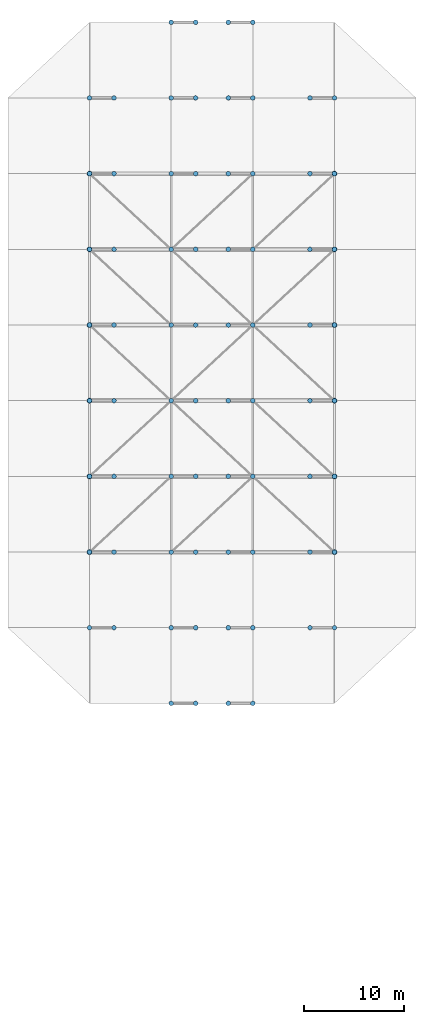
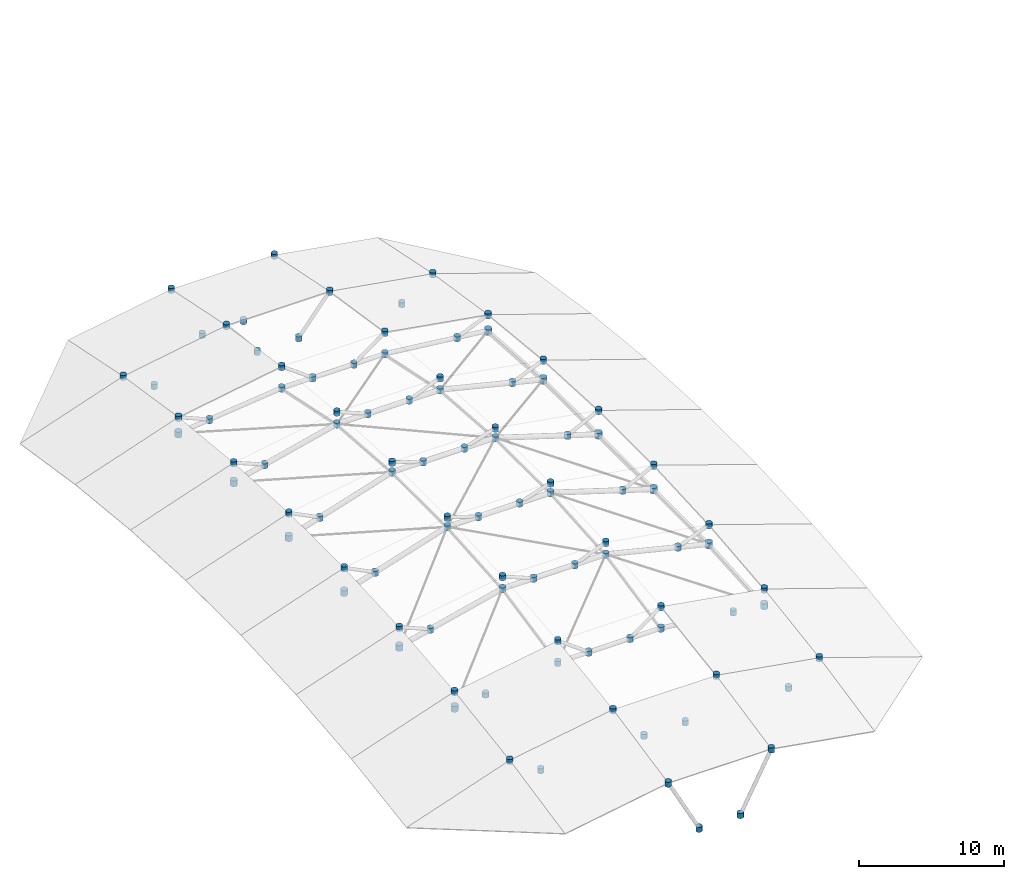
# One storey, part 10 of 22: 96 plates.
"""IFC4 building model written with IfcOpenShell, lengths in metres."""

from ifc_helpers import new_model, si_unit, direction, frame, origin, origin_2d, place, context, subcontext, project, spatial, circle, extrude, material, layer, layer_set, type_object, element, save


model = new_model("IFC4")

# Units and contexts
model_context = context("Model", 3, precision=1e-05, world=origin(), true_north=direction((0.0, 1.0)))
body_context = subcontext(model_context, "Body", "Model", "MODEL_VIEW")
ifc_project = project(units=[si_unit("LENGTHUNIT", "METRE"), si_unit("AREAUNIT", "SQUARE_METRE"), si_unit("VOLUMEUNIT", "CUBIC_METRE"), si_unit("PLANEANGLEUNIT", "RADIAN"), si_unit("MASSUNIT", "GRAM", prefix="KILO")], contexts=[model_context])

# Site, building, storey
site_placement = place(None, origin())
site = spatial("IfcSite", under=ifc_project, at=site_placement, CompositionType="ELEMENT")
building_placement = place(site_placement, origin())
building = spatial("IfcBuilding", under=site, at=building_placement, Name="Qandaris Square Conservatory and Botanical Centre", CompositionType="ELEMENT")
storey_placement = place(building_placement, frame((0.0, 0.0, 19.800048828125)))
storey = spatial("IfcBuildingStorey", under=building, at=storey_placement, Name="L04", CompositionType="ELEMENT", Elevation=19.800048828125)

# Plates
ifc_material = material(Name="Steel S355", Category="steel")
ifc_layer_1 = layer(ifc_material, 0.419921875)
ifc_layer_set_1 = layer_set([ifc_layer_1], Name="Steel S355")
plate_type_1 = type_object("IfcPlateType", Name="Gridshell Crown Connector Drum KN3", PredefinedType="USERDEFINED", material=ifc_layer_set_1)
for number, where, z_axis, x_axis, name in (
    (1, (32.60009765625, 62.199951171875, 0.7353515625), (0.0, 0.0, 1.0), (1.0, 0.0, 0.0), "Gridshell Node Drum KN-2-2"),
    (2, (32.60009765625, 69.800048828125, 2.32568359375), (0.0, 0.0, 1.0), (1.0, 0.0, 0.0), "Gridshell Node Drum KN-2-3"),
    (3, (32.60009765625, 77.39990234375, 2.89794921875), (0.0, 0.0, 1.0), (1.0, 0.0, 0.0), "Gridshell Node Drum KN-2-4"),
    (4, (32.60009765625, 85.0, 2.89794921875), (0.0, 0.0, 1.0), (1.0, 0.0, 0.0), "Gridshell Node Drum KN-2-5"),
    (5, (32.60009765625, 92.60009765625, 2.32568359375), (0.0, 0.0, 1.0), (1.0, 0.0, 0.0), "Gridshell Node Drum KN-2-6"),
    (6, (32.60009765625, 100.199951171875, 0.7353515625), (0.0, 0.0, 1.0), (1.0, 0.0, 0.0), "Gridshell Node Drum KN-2-7"),
    (7, (40.800048828125, 62.199951171875, 0.7353515625), (0.0, 0.0, 1.0), (1.0, 0.0, 0.0), "Gridshell Node Drum KN-3-2"),
    (8, (40.800048828125, 69.800048828125, 2.32568359375), (0.0, 0.0, 1.0), (1.0, 0.0, 0.0), "Gridshell Node Drum KN-3-3"),
    (9, (40.800048828125, 77.39990234375, 2.89794921875), (0.0, 0.0, 1.0), (1.0, 0.0, 0.0), "Gridshell Node Drum KN-3-4"),
    (10, (40.800048828125, 85.0, 2.89794921875), (0.0, 0.0, 1.0), (1.0, 0.0, 0.0), "Gridshell Node Drum KN-3-5"),
    (11, (40.800048828125, 92.60009765625, 2.32568359375), (0.0, 0.0, 1.0), (1.0, 0.0, 0.0), "Gridshell Node Drum KN-3-6"),
    (12, (40.800048828125, 100.199951171875, 0.7353515625), (0.0, 0.0, 1.0), (1.0, 0.0, 0.0), "Gridshell Node Drum KN-3-7"),
    (13, (24.39990234375, 54.60009765625, -0.015625), (0.0, 0.0, 1.0), (1.0, 0.0, 0.0), "Dome Glazing Node 1.1"),
    (14, (26.860107421875, 54.60009765625, -1.64990234375), (0.0, 0.0, 1.0), (1.0, 0.0, 0.0), "Dome Strut Seat 1.1"),
    (15, (24.39990234375, 62.199951171875, 1.15478515625), (0.0, 0.0, 1.0), (1.0, 0.0, 0.0), "Dome Glazing Node 1.2"),
    (16, (26.860107421875, 62.199951171875, 0.093994140625), (0.0, 0.0, 1.0), (1.0, 0.0, 0.0), "Dome Strut Seat 1.2"),
    (17, (24.39990234375, 69.800048828125, 1.93505859375), (0.0, 0.0, 1.0), (1.0, 0.0, 0.0), "Dome Glazing Node 1.3"),
    (18, (26.860107421875, 69.800048828125, 0.923095703125), (0.0, 0.0, 1.0), (1.0, 0.0, 0.0), "Dome Strut Seat 1.3"),
    (19, (24.39990234375, 77.39990234375, 2.3251953125), (0.0, 0.0, 1.0), (1.0, 0.0, 0.0), "Dome Glazing Node 1.4"),
    (20, (26.860107421875, 77.39990234375, 1.0947265625), (0.0, 0.0, 1.0), (1.0, 0.0, 0.0), "Dome Strut Seat 1.4"),
    (21, (24.39990234375, 85.0, 2.3251953125), (0.0, 0.0, 1.0), (1.0, 0.0, 0.0), "Dome Glazing Node 1.5"),
    (22, (26.860107421875, 85.0, 1.0947265625), (0.0, 0.0, 1.0), (1.0, 0.0, 0.0), "Dome Strut Seat 1.5"),
    (23, (24.39990234375, 92.60009765625, 1.93505859375), (0.0, 0.0, 1.0), (1.0, 0.0, 0.0), "Dome Glazing Node 1.6"),
    (24, (26.860107421875, 92.60009765625, 0.923095703125), (0.0, 0.0, 1.0), (1.0, 0.0, 0.0), "Dome Strut Seat 1.6"),
    (25, (24.39990234375, 100.199951171875, 1.15478515625), (0.0, 0.0, 1.0), (1.0, 0.0, 0.0), "Dome Glazing Node 1.7"),
    (26, (26.860107421875, 100.199951171875, 0.093994140625), (0.0, 0.0, 1.0), (1.0, 0.0, 0.0), "Dome Strut Seat 1.7"),
    (27, (24.39990234375, 107.800048828125, -0.015625), (0.0, 0.0, 1.0), (1.0, 0.0, 0.0), "Dome Glazing Node 1.8"),
    (28, (26.860107421875, 107.800048828125, -1.64990234375), (0.0, 0.0, 1.0), (1.0, 0.0, 0.0), "Dome Strut Seat 1.8"),
    (29, (32.60009765625, 47.0, -0.18408203125), (0.0, 0.0, 1.0), (1.0, 0.0, 0.0), "Dome Glazing Node 2.0"),
    (30, (35.06005859375, 47.0, -4.830078125), (0.0, 0.0, 1.0), (1.0, 0.0, 0.0), "Dome Strut Seat 2.0"),
    (31, (32.60009765625, 54.60009765625, 1.37646484375), (0.0, 0.0, 1.0), (1.0, 0.0, 0.0), "Dome Glazing Node 2.1"),
    (32, (35.06005859375, 54.60009765625, -1.64990234375), (0.0, 0.0, 1.0), (1.0, 0.0, 0.0), "Dome Strut Seat 2.1"),
    (33, (32.60009765625, 62.199951171875, 2.546875), (0.0, 0.0, 1.0), (1.0, 0.0, 0.0), "Dome Glazing Node 2.2"),
    (34, (35.06005859375, 62.199951171875, 0.7353515625), (0.0, 0.0, 1.0), (1.0, 0.0, 0.0), "Dome Strut Seat 2.2"),
    (35, (32.60009765625, 69.800048828125, 3.3271484375), (0.0, 0.0, 1.0), (1.0, 0.0, 0.0), "Dome Glazing Node 2.3"),
    (36, (35.06005859375, 69.800048828125, 2.32568359375), (0.0, 0.0, 1.0), (1.0, 0.0, 0.0), "Dome Strut Seat 2.3"),
    (37, (32.60009765625, 77.39990234375, 3.71728515625), (0.0, 0.0, 1.0), (1.0, 0.0, 0.0), "Dome Glazing Node 2.4"),
    (38, (35.06005859375, 77.39990234375, 2.89794921875), (0.0, 0.0, 1.0), (1.0, 0.0, 0.0), "Dome Strut Seat 2.4"),
    (39, (32.60009765625, 85.0, 3.71728515625), (0.0, 0.0, 1.0), (1.0, 0.0, 0.0), "Dome Glazing Node 2.5"),
    (40, (35.06005859375, 85.0, 2.89794921875), (0.0, 0.0, 1.0), (1.0, 0.0, 0.0), "Dome Strut Seat 2.5"),
    (41, (32.60009765625, 92.60009765625, 3.3271484375), (0.0, 0.0, 1.0), (1.0, 0.0, 0.0), "Dome Glazing Node 2.6"),
    (42, (35.06005859375, 92.60009765625, 2.32568359375), (0.0, 0.0, 1.0), (1.0, 0.0, 0.0), "Dome Strut Seat 2.6"),
    (43, (32.60009765625, 100.199951171875, 2.546875), (0.0, 0.0, 1.0), (1.0, 0.0, 0.0), "Dome Glazing Node 2.7"),
    (44, (35.06005859375, 100.199951171875, 0.7353515625), (0.0, 0.0, 1.0), (1.0, 0.0, 0.0), "Dome Strut Seat 2.7"),
    (45, (32.60009765625, 107.800048828125, 1.37646484375), (0.0, 0.0, 1.0), (1.0, 0.0, 0.0), "Dome Glazing Node 2.8"),
    (46, (35.06005859375, 107.800048828125, -1.64990234375), (0.0, 0.0, 1.0), (1.0, 0.0, 0.0), "Dome Strut Seat 2.8"),
    (47, (32.60009765625, 115.39990234375, -0.18408203125), (0.0, 0.0, 1.0), (1.0, 0.0, 0.0), "Dome Glazing Node 2.9"),
    (48, (35.06005859375, 115.39990234375, -4.830078125), (0.0, 0.0, 1.0), (1.0, 0.0, 0.0), "Dome Strut Seat 2.9"),
    (49, (40.800048828125, 47.0, -0.18408203125), (0.0, 0.0, 1.0), (1.0, 0.0, 0.0), "Dome Glazing Node 3.0"),
    (50, (38.340087890625, 47.0, -4.830078125), (0.0, 0.0, 1.0), (1.0, 0.0, 0.0), "Dome Strut Seat 3.0"),
    (51, (40.800048828125, 54.60009765625, 1.37646484375), (0.0, 0.0, 1.0), (1.0, 0.0, 0.0), "Dome Glazing Node 3.1"),
    (52, (38.340087890625, 54.60009765625, -1.64990234375), (0.0, 0.0, 1.0), (1.0, 0.0, 0.0), "Dome Strut Seat 3.1"),
    (53, (40.800048828125, 62.199951171875, 2.546875), (0.0, 0.0, 1.0), (1.0, 0.0, 0.0), "Dome Glazing Node 3.2"),
    (54, (38.340087890625, 62.199951171875, 0.7353515625), (0.0, 0.0, 1.0), (1.0, 0.0, 0.0), "Dome Strut Seat 3.2"),
    (55, (40.800048828125, 69.800048828125, 3.3271484375), (0.0, 0.0, 1.0), (1.0, 0.0, 0.0), "Dome Glazing Node 3.3"),
    (56, (38.340087890625, 69.800048828125, 2.32568359375), (0.0, 0.0, 1.0), (1.0, 0.0, 0.0), "Dome Strut Seat 3.3"),
    (57, (40.800048828125, 77.39990234375, 3.71728515625), (0.0, 0.0, 1.0), (1.0, 0.0, 0.0), "Dome Glazing Node 3.4"),
    (58, (38.340087890625, 77.39990234375, 2.89794921875), (0.0, 0.0, 1.0), (1.0, 0.0, 0.0), "Dome Strut Seat 3.4"),
    (59, (40.800048828125, 85.0, 3.71728515625), (0.0, 0.0, 1.0), (1.0, 0.0, 0.0), "Dome Glazing Node 3.5"),
    (60, (38.340087890625, 85.0, 2.89794921875), (0.0, 0.0, 1.0), (1.0, 0.0, 0.0), "Dome Strut Seat 3.5"),
    (61, (40.800048828125, 92.60009765625, 3.3271484375), (0.0, 0.0, 1.0), (1.0, 0.0, 0.0), "Dome Glazing Node 3.6"),
    (62, (38.340087890625, 92.60009765625, 2.32568359375), (0.0, 0.0, 1.0), (1.0, 0.0, 0.0), "Dome Strut Seat 3.6"),
    (63, (40.800048828125, 100.199951171875, 2.546875), (0.0, 0.0, 1.0), (1.0, 0.0, 0.0), "Dome Glazing Node 3.7"),
    (64, (38.340087890625, 100.199951171875, 0.7353515625), (0.0, 0.0, 1.0), (1.0, 0.0, 0.0), "Dome Strut Seat 3.7"),
    (65, (40.800048828125, 107.800048828125, 1.37646484375), (0.0, 0.0, 1.0), (1.0, 0.0, 0.0), "Dome Glazing Node 3.8"),
    (66, (38.340087890625, 107.800048828125, -1.64990234375), (0.0, 0.0, 1.0), (1.0, 0.0, 0.0), "Dome Strut Seat 3.8"),
    (67, (40.800048828125, 115.39990234375, -0.18408203125), (0.0, 0.0, 1.0), (1.0, 0.0, 0.0), "Dome Glazing Node 3.9"),
    (68, (38.340087890625, 115.39990234375, -4.830078125), (0.0, 0.0, 1.0), (1.0, 0.0, 0.0), "Dome Strut Seat 3.9"),
    (69, (49.0, 54.60009765625, -0.015625), (0.0, 0.0, 1.0), (1.0, 0.0, 0.0), "Dome Glazing Node 4.1"),
    (70, (46.5400390625, 54.60009765625, -1.64990234375), (0.0, 0.0, 1.0), (1.0, 0.0, 0.0), "Dome Strut Seat 4.1"),
    (71, (49.0, 62.199951171875, 1.15478515625), (0.0, 0.0, 1.0), (1.0, 0.0, 0.0), "Dome Glazing Node 4.2"),
    (72, (46.5400390625, 62.199951171875, 0.093994140625), (0.0, 0.0, 1.0), (1.0, 0.0, 0.0), "Dome Strut Seat 4.2"),
    (73, (49.0, 69.800048828125, 1.93505859375), (0.0, 0.0, 1.0), (1.0, 0.0, 0.0), "Dome Glazing Node 4.3"),
    (74, (46.5400390625, 69.800048828125, 0.923095703125), (0.0, 0.0, 1.0), (1.0, 0.0, 0.0), "Dome Strut Seat 4.3"),
    (75, (49.0, 77.39990234375, 2.3251953125), (0.0, 0.0, 1.0), (1.0, 0.0, 0.0), "Dome Glazing Node 4.4"),
    (76, (46.5400390625, 77.39990234375, 1.0947265625), (0.0, 0.0, 1.0), (1.0, 0.0, 0.0), "Dome Strut Seat 4.4"),
    (77, (49.0, 85.0, 2.3251953125), (0.0, 0.0, 1.0), (1.0, 0.0, 0.0), "Dome Glazing Node 4.5"),
    (78, (46.5400390625, 85.0, 1.0947265625), (0.0, 0.0, 1.0), (1.0, 0.0, 0.0), "Dome Strut Seat 4.5"),
    (79, (49.0, 92.60009765625, 1.93505859375), (0.0, 0.0, 1.0), (1.0, 0.0, 0.0), "Dome Glazing Node 4.6"),
    (80, (46.5400390625, 92.60009765625, 0.923095703125), (0.0, 0.0, 1.0), (1.0, 0.0, 0.0), "Dome Strut Seat 4.6"),
    (81, (49.0, 100.199951171875, 1.15478515625), (0.0, 0.0, 1.0), (1.0, 0.0, 0.0), "Dome Glazing Node 4.7"),
    (82, (46.5400390625, 100.199951171875, 0.093994140625), (0.0, 0.0, 1.0), (1.0, 0.0, 0.0), "Dome Strut Seat 4.7"),
    (83, (49.0, 107.800048828125, -0.015625), (0.0, 0.0, 1.0), (1.0, 0.0, 0.0), "Dome Glazing Node 4.8"),
    (84, (46.5400390625, 107.800048828125, -1.64990234375), (0.0, 0.0, 1.0), (1.0, 0.0, 0.0), "Dome Strut Seat 4.8"),
):
    element("IfcPlate", number, at=place(storey_placement, frame(where, z_axis=z_axis, x_axis=x_axis)), inside=storey, type_object=plate_type_1, Name=name, ObjectType="CONNECTOR PLATE", PredefinedType="USERDEFINED", context=body_context, shape_type="SweptSolid", body=[
        extrude(circle(Radius=0.22998046875, at=origin_2d()), origin(), (0.0, 0.0, 1.0), 0.419921875),
    ])
ifc_layer_2 = layer(ifc_material, 0.47998046875)
ifc_layer_set_2 = layer_set([ifc_layer_2], Name="Steel S355")
plate_type_2 = type_object("IfcPlateType", Name="Gridshell Mid Connector Drum KN2", PredefinedType="USERDEFINED", material=ifc_layer_set_2)
for number, where, z_axis, x_axis, name in (
    (85, (24.39990234375, 62.199951171875, -0.211181640625), (0.0, 0.0, 1.0), (1.0, 0.0, 0.0), "Gridshell Node Drum KN-1-2"),
    (86, (24.39990234375, 69.800048828125, 0.2919921875), (0.0, 0.0, 1.0), (1.0, 0.0, 0.0), "Gridshell Node Drum KN-1-3"),
    (87, (24.39990234375, 77.39990234375, 0.2919921875), (0.0, 0.0, 1.0), (1.0, 0.0, 0.0), "Gridshell Node Drum KN-1-4"),
    (88, (24.39990234375, 85.0, 0.2919921875), (0.0, 0.0, 1.0), (1.0, 0.0, 0.0), "Gridshell Node Drum KN-1-5"),
    (89, (24.39990234375, 92.60009765625, 0.2919921875), (0.0, 0.0, 1.0), (1.0, 0.0, 0.0), "Gridshell Node Drum KN-1-6"),
    (90, (24.39990234375, 100.199951171875, -0.211181640625), (0.0, 0.0, 1.0), (1.0, 0.0, 0.0), "Gridshell Node Drum KN-1-7"),
    (91, (49.0, 62.199951171875, -0.211181640625), (0.0, 0.0, 1.0), (1.0, 0.0, 0.0), "Gridshell Node Drum KN-4-2"),
    (92, (49.0, 69.800048828125, 0.2919921875), (0.0, 0.0, 1.0), (1.0, 0.0, 0.0), "Gridshell Node Drum KN-4-3"),
    (93, (49.0, 77.39990234375, 0.2919921875), (0.0, 0.0, 1.0), (1.0, 0.0, 0.0), "Gridshell Node Drum KN-4-4"),
    (94, (49.0, 85.0, 0.2919921875), (0.0, 0.0, 1.0), (1.0, 0.0, 0.0), "Gridshell Node Drum KN-4-5"),
    (95, (49.0, 92.60009765625, 0.2919921875), (0.0, 0.0, 1.0), (1.0, 0.0, 0.0), "Gridshell Node Drum KN-4-6"),
    (96, (49.0, 100.199951171875, -0.211181640625), (0.0, 0.0, 1.0), (1.0, 0.0, 0.0), "Gridshell Node Drum KN-4-7"),
):
    element("IfcPlate", number, at=place(storey_placement, frame(where, z_axis=z_axis, x_axis=x_axis)), inside=storey, type_object=plate_type_2, Name=name, ObjectType="CONNECTOR PLATE", PredefinedType="USERDEFINED", context=body_context, shape_type="SweptSolid", body=[
        extrude(circle(Radius=0.260009765625, at=origin_2d()), origin(), (0.0, 0.0, 1.0), 0.47998046875),
    ])

save(model, "model.ifc")
